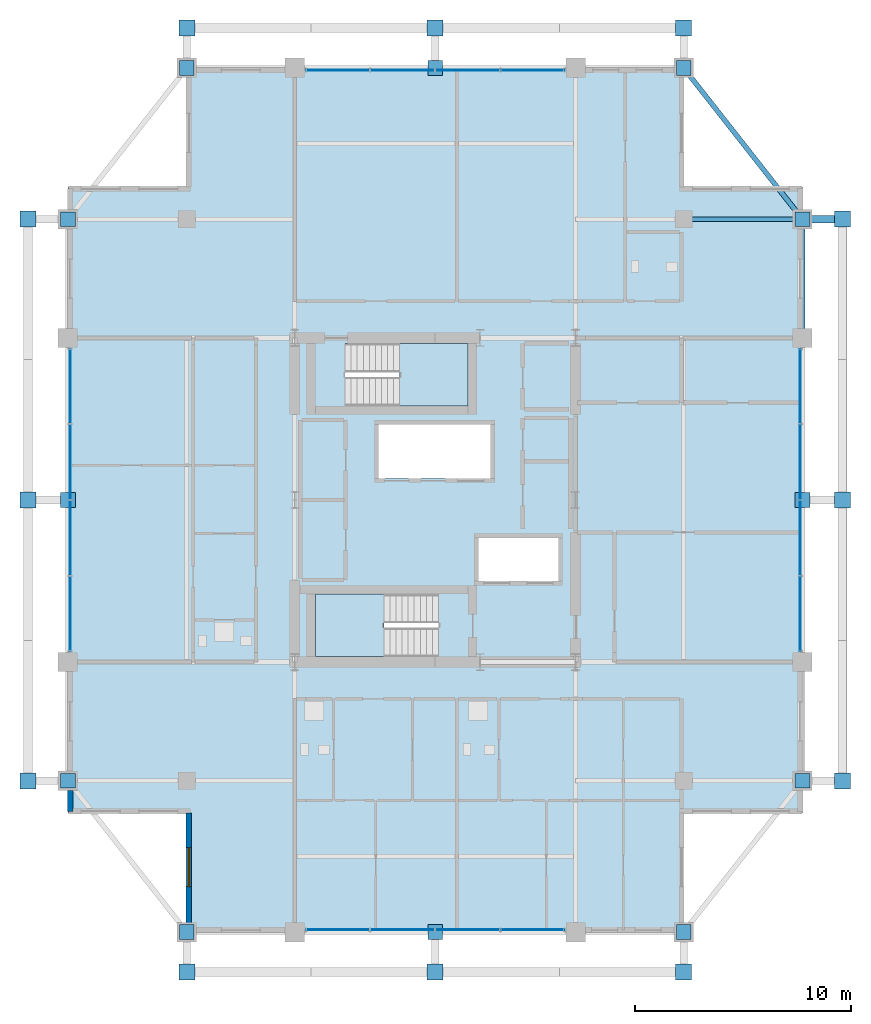
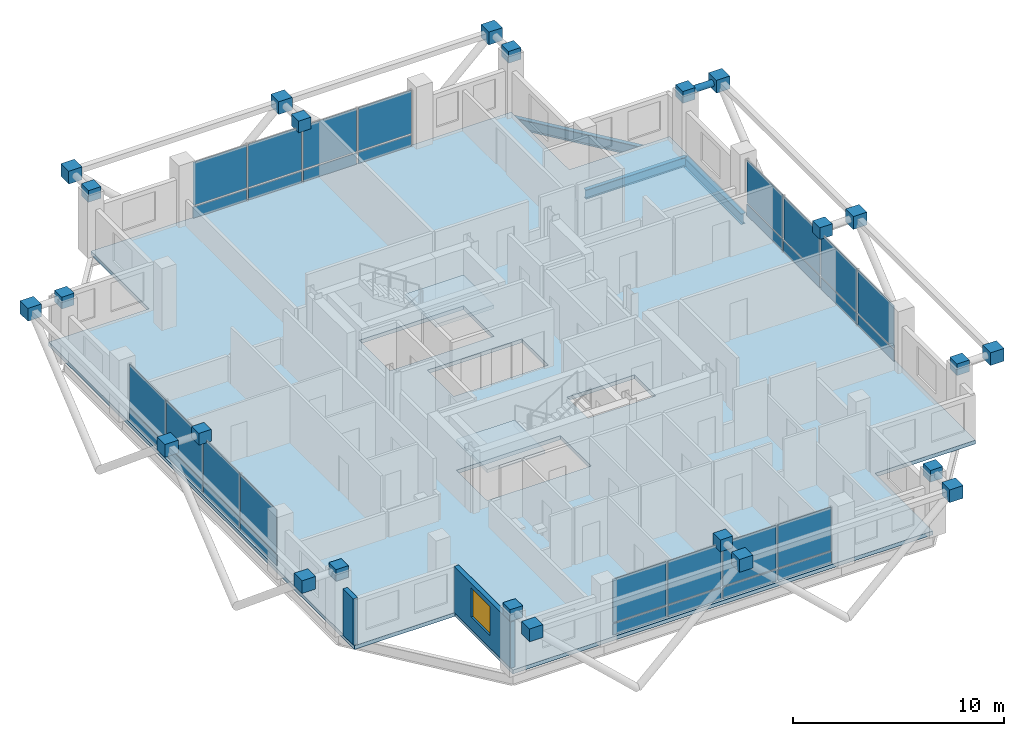
# One storey, part 18 of 25: 56 plates, 3 beams, 3 slabs, 2 walls, 1 member, 1 window, 1 opening, 6 elements without a shape of their own.
"""IFC4 building model written with IfcOpenShell, lengths in metres."""

from ifc_helpers import new_model, si_unit, direction, frame, frame_2d, origin, origin_2d, place, context, subcontext, project, spatial, polyline, rectangle, hollow_circle, i_section, outline, extrude, material, layer, layer_set, material_profile, profile_set, type_object, element, fill, aggregate, save


model = new_model("IFC4")

# Units and contexts
model_context = context("Model", 3, precision=1e-05, world=origin(), true_north=direction((0.0, 1.0)))
body_context = subcontext(model_context, "Body", "Model", "MODEL_VIEW")
ifc_project = project(units=[si_unit("LENGTHUNIT", "METRE"), si_unit("AREAUNIT", "SQUARE_METRE"), si_unit("VOLUMEUNIT", "CUBIC_METRE"), si_unit("PLANEANGLEUNIT", "RADIAN"), si_unit("MASSUNIT", "GRAM", prefix="KILO")], contexts=[model_context])

# Site, building, storey
site_placement = place(None, origin())
site = spatial("IfcSite", under=ifc_project, at=site_placement, CompositionType="ELEMENT")
building_placement = place(site_placement, origin())
building = spatial("IfcBuilding", under=site, at=building_placement, Name="Barlavira Tower and Art Museum", CompositionType="ELEMENT")
storey_placement = place(building_placement, frame((0.0, 0.0, 301.5)))
storey = spatial("IfcBuildingStorey", under=building, at=storey_placement, Name="L79", CompositionType="ELEMENT", Elevation=301.5)

# Member
ifc_material_1 = material(Name="Steel S355", Category="steel")
ifc_material_profile_1 = material_profile(ifc_material_1, hollow_circle(Radius=0.177734375, WallThickness=0.01611328125, at=origin_2d()), Name="CHS 355.6x16.0")
ifc_profile_set_1 = profile_set([ifc_material_profile_1], Name="Steel S355")
member_type = type_object("IfcMemberType", Name="Pale-Metal Exoskeleton Tie Strut CHS 356x16 Steel S355", PredefinedType="STRUT", material=ifc_profile_set_1)
member_placement = place(storey_placement, frame((18.85009765625, 13.0, 3.47998046875), z_axis=(-1.0, 0.0, 0.0), x_axis=(0.0, -1.0, 0.0)))
element("IfcMember", 1, at=member_placement, inside=storey, type_object=member_type, Name="L79 Exoskeleton Top Tie Strut E3", PredefinedType="STRUT", context=body_context, shape_type="SweptSolid", body=[
    extrude(hollow_circle(Radius=0.177734375, WallThickness=0.01611328125, at=origin_2d()), origin(), (0.0, 0.0, 1.0), 1.85009765625),
])

# Beams
ifc_material_profile_2 = material_profile(ifc_material_1, i_section(OverallWidth=0.22998046875, OverallDepth=0.616943359375, WebThickness=0.01318359375, FlangeThickness=0.022216796875, at=origin_2d()), Name="W610x140.0")
ifc_profile_set_2 = profile_set([ifc_material_profile_2], Name="Steel S355")
beam_type_1 = type_object("IfcBeamType", Name="Upper Shaft Spandrel Edge Beam W610x140 Steel S355", PredefinedType="SPANDREL", material=ifc_profile_set_2)
beam_1_placement = place(storey_placement, frame((17.0, 7.5, -0.528564453125), z_axis=(0.0, 1.0, 0.0), x_axis=(-1.0, 0.0, 0.0)))
element("IfcBeam", 2, at=beam_1_placement, inside=storey, type_object=beam_type_1, Name="L79 Spandrel 7", PredefinedType="SPANDREL", context=body_context, shape_type="SweptSolid", body=[
    extrude(i_section(OverallWidth=0.22998046875, OverallDepth=0.616943359375, WebThickness=0.01318359375, FlangeThickness=0.022216796875, at=origin_2d()), origin(), (0.0, 0.0, 1.0), 5.5),
])
beam_2_placement = place(storey_placement, frame((17.0, 13.0, -0.528564453125), z_axis=(-0.617821551932, 0.786318338822, 0.0), x_axis=(-0.786318338822, -0.617821551932, 0.0)))
element("IfcBeam", 3, at=beam_2_placement, inside=storey, type_object=beam_type_1, Name="L79 Spandrel 8", PredefinedType="SPANDREL", context=body_context, shape_type="SweptSolid", body=[
    extrude(i_section(OverallWidth=0.22998046875, OverallDepth=0.616943359375, WebThickness=0.01318359375, FlangeThickness=0.022216796875, at=origin_2d()), origin(), (0.0, 0.0, 1.0), 8.90234375),
])
ifc_material_profile_3 = material_profile(ifc_material_1, i_section(OverallWidth=0.2109375, OverallDepth=0.5390625, WebThickness=0.01171875, FlangeThickness=0.018798828125, at=origin_2d()), Name="W530x109.0")
ifc_profile_set_3 = profile_set([ifc_material_profile_3], Name="Steel S355")
beam_type_2 = type_object("IfcBeamType", Name="Zone 3-4 Primary Floor Girder W530x109 Steel S355", PredefinedType="BEAM", material=ifc_profile_set_3)
beam_3_placement = place(storey_placement, frame((11.5, 13.0, -0.489501953125), z_axis=(1.0, 0.0, 0.0), x_axis=(0.0, 1.0, 0.0)))
element("IfcBeam", 4, at=beam_3_placement, inside=storey, type_object=beam_type_2, Name="L79 Girder I-N4", PredefinedType="BEAM", context=body_context, shape_type="SweptSolid", body=[
    extrude(i_section(OverallWidth=0.2109375, OverallDepth=0.5390625, WebThickness=0.01171875, FlangeThickness=0.018798828125, at=origin_2d()), origin(), (0.0, 0.0, 1.0), 5.5),
])

# Curtain wall, plates
ifc_material_2 = material(Name="Low-iron coastal laminated glass", Category="glass")
ifc_layer_1 = layer(ifc_material_2, 0.2099609375, Name="Low-iron coastal laminated glass")
ifc_layer_set_1 = layer_set([ifc_layer_1], Name="Low-iron coastal laminated glass")
curtain_wall_type = type_object("IfcCurtainWallType", Name="Pale-Metal Unitised Curtain Wall Zone 4", PredefinedType="NOTDEFINED", material=ifc_layer_set_1)
curtain_wall_1_placement = place(storey_placement, origin())
curtain_wall_1 = element("IfcCurtainWall", 5, at=curtain_wall_1_placement, inside=storey, type_object=curtain_wall_type, Name="L79 Curtain Wall CW4-L79-S-B2", PredefinedType="NOTDEFINED")
ifc_material_3 = material(Name="Pale anodised aluminium", Category="aluminium")
ifc_layer_2 = layer(ifc_material_3, 0.044921875, Name="Pale anodised aluminium")
ifc_layer_set_2 = layer_set([ifc_layer_2], Name="Pale anodised aluminium")
plate_type_1 = type_object("IfcPlateType", Name="Curtain Wall Pale-Metal Spandrel Panel 45", PredefinedType="CURTAIN_PANEL", material=ifc_layer_set_2)
plate_1_placement = place(storey_placement, frame((-4.5224609375, -19.89990234375, 0.0400390625), z_axis=(0.0, 0.0, 1.0), x_axis=(1.0, 0.0, 0.0)))
plate_1 = element("IfcPlate", 6, at=plate_1_placement, type_object=plate_type_1, Name="CW4-L79-S-B2 Spandrel Panel 0", PredefinedType="CURTAIN_PANEL", context=body_context, shape_type="SweptSolid", body=[
    extrude(rectangle(XDim=2.9150390625, YDim=0.044921875, at=origin_2d()), origin(), (0.0, 0.0, 1.0), 0.64599609375),
])
plate_2_placement = place(storey_placement, frame((-1.507568359375, -19.89990234375, 0.0400390625), z_axis=(0.0, 0.0, 1.0), x_axis=(1.0, 0.0, 0.0)))
plate_2 = element("IfcPlate", 7, at=plate_2_placement, type_object=plate_type_1, Name="CW4-L79-S-B2 Spandrel Panel 1", PredefinedType="CURTAIN_PANEL", context=body_context, shape_type="SweptSolid", body=[
    extrude(rectangle(XDim=2.9150390625, YDim=0.044921875, at=origin_2d()), origin(), (0.0, 0.0, 1.0), 0.64599609375),
])
plate_3_placement = place(storey_placement, frame((1.507568359375, -19.89990234375, 0.0400390625), z_axis=(0.0, 0.0, 1.0), x_axis=(1.0, 0.0, 0.0)))
plate_3 = element("IfcPlate", 8, at=plate_3_placement, type_object=plate_type_1, Name="CW4-L79-S-B2 Spandrel Panel 2", PredefinedType="CURTAIN_PANEL", context=body_context, shape_type="SweptSolid", body=[
    extrude(rectangle(XDim=2.9150390625, YDim=0.044921875, at=origin_2d()), origin(), (0.0, 0.0, 1.0), 0.64599609375),
])
plate_4_placement = place(storey_placement, frame((4.5224609375, -19.89990234375, 0.0400390625), z_axis=(0.0, 0.0, 1.0), x_axis=(1.0, 0.0, 0.0)))
plate_4 = element("IfcPlate", 9, at=plate_4_placement, type_object=plate_type_1, Name="CW4-L79-S-B2 Spandrel Panel 3", PredefinedType="CURTAIN_PANEL", context=body_context, shape_type="SweptSolid", body=[
    extrude(rectangle(XDim=2.9150390625, YDim=0.044921875, at=origin_2d()), origin(), (0.0, 0.0, 1.0), 0.64599609375),
])

curtain_wall_2_placement = place(storey_placement, origin())
curtain_wall_2 = element("IfcCurtainWall", 10, at=curtain_wall_2_placement, inside=storey, type_object=curtain_wall_type, Name="L79 Curtain Wall CW4-L79-N-B2", PredefinedType="NOTDEFINED")
plate_5_placement = place(storey_placement, frame((4.5224609375, 19.89990234375, 0.0400390625), z_axis=(0.0, 0.0, 1.0), x_axis=(-1.0, 0.0, 0.0)))
plate_5 = element("IfcPlate", 11, at=plate_5_placement, type_object=plate_type_1, Name="CW4-L79-N-B2 Spandrel Panel 0", PredefinedType="CURTAIN_PANEL", context=body_context, shape_type="SweptSolid", body=[
    extrude(rectangle(XDim=2.9150390625, YDim=0.044921875, at=origin_2d()), origin(), (0.0, 0.0, 1.0), 0.64599609375),
])
plate_6_placement = place(storey_placement, frame((1.507568359375, 19.89990234375, 0.0400390625), z_axis=(0.0, 0.0, 1.0), x_axis=(-1.0, 0.0, 0.0)))
plate_6 = element("IfcPlate", 12, at=plate_6_placement, type_object=plate_type_1, Name="CW4-L79-N-B2 Spandrel Panel 1", PredefinedType="CURTAIN_PANEL", context=body_context, shape_type="SweptSolid", body=[
    extrude(rectangle(XDim=2.9150390625, YDim=0.044921875, at=origin_2d()), origin(), (0.0, 0.0, 1.0), 0.64599609375),
])
plate_7_placement = place(storey_placement, frame((-1.507568359375, 19.89990234375, 0.0400390625), z_axis=(0.0, 0.0, 1.0), x_axis=(-1.0, 0.0, 0.0)))
plate_7 = element("IfcPlate", 13, at=plate_7_placement, type_object=plate_type_1, Name="CW4-L79-N-B2 Spandrel Panel 2", PredefinedType="CURTAIN_PANEL", context=body_context, shape_type="SweptSolid", body=[
    extrude(rectangle(XDim=2.9150390625, YDim=0.044921875, at=origin_2d()), origin(), (0.0, 0.0, 1.0), 0.64599609375),
])
plate_8_placement = place(storey_placement, frame((-4.5224609375, 19.89990234375, 0.0400390625), z_axis=(0.0, 0.0, 1.0), x_axis=(-1.0, 0.0, 0.0)))
plate_8 = element("IfcPlate", 14, at=plate_8_placement, type_object=plate_type_1, Name="CW4-L79-N-B2 Spandrel Panel 3", PredefinedType="CURTAIN_PANEL", context=body_context, shape_type="SweptSolid", body=[
    extrude(rectangle(XDim=2.9150390625, YDim=0.044921875, at=origin_2d()), origin(), (0.0, 0.0, 1.0), 0.64599609375),
])

curtain_wall_3_placement = place(storey_placement, origin())
curtain_wall_3 = element("IfcCurtainWall", 15, at=curtain_wall_3_placement, inside=storey, type_object=curtain_wall_type, Name="L79 Curtain Wall CW4-L79-W-B3", PredefinedType="NOTDEFINED")
plate_9_placement = place(storey_placement, frame((-16.89990234375, 5.2724609375, 0.0400390625), z_axis=(0.0, 0.0, 1.0), x_axis=(0.0, -1.0, 0.0)))
plate_9 = element("IfcPlate", 16, at=plate_9_placement, type_object=plate_type_1, Name="CW4-L79-W-B3 Spandrel Panel 0", PredefinedType="CURTAIN_PANEL", context=body_context, shape_type="SweptSolid", body=[
    extrude(rectangle(XDim=3.4150390625, YDim=0.044921875, at=origin_2d()), origin(), (0.0, 0.0, 1.0), 0.64599609375),
])
plate_10_placement = place(storey_placement, frame((-16.89990234375, 1.757568359375, 0.0400390625), z_axis=(0.0, 0.0, 1.0), x_axis=(0.0, -1.0, 0.0)))
plate_10 = element("IfcPlate", 17, at=plate_10_placement, type_object=plate_type_1, Name="CW4-L79-W-B3 Spandrel Panel 1", PredefinedType="CURTAIN_PANEL", context=body_context, shape_type="SweptSolid", body=[
    extrude(rectangle(XDim=3.4150390625, YDim=0.044921875, at=origin_2d()), origin(), (0.0, 0.0, 1.0), 0.64599609375),
])
plate_11_placement = place(storey_placement, frame((-16.89990234375, -1.757568359375, 0.0400390625), z_axis=(0.0, 0.0, 1.0), x_axis=(0.0, -1.0, 0.0)))
plate_11 = element("IfcPlate", 18, at=plate_11_placement, type_object=plate_type_1, Name="CW4-L79-W-B3 Spandrel Panel 2", PredefinedType="CURTAIN_PANEL", context=body_context, shape_type="SweptSolid", body=[
    extrude(rectangle(XDim=3.4150390625, YDim=0.044921875, at=origin_2d()), origin(), (0.0, 0.0, 1.0), 0.64599609375),
])
plate_12_placement = place(storey_placement, frame((-16.89990234375, -5.2724609375, 0.0400390625), z_axis=(0.0, 0.0, 1.0), x_axis=(0.0, -1.0, 0.0)))
plate_12 = element("IfcPlate", 19, at=plate_12_placement, type_object=plate_type_1, Name="CW4-L79-W-B3 Spandrel Panel 3", PredefinedType="CURTAIN_PANEL", context=body_context, shape_type="SweptSolid", body=[
    extrude(rectangle(XDim=3.4150390625, YDim=0.044921875, at=origin_2d()), origin(), (0.0, 0.0, 1.0), 0.64599609375),
])

curtain_wall_4_placement = place(storey_placement, origin())
curtain_wall_4 = element("IfcCurtainWall", 20, at=curtain_wall_4_placement, inside=storey, type_object=curtain_wall_type, Name="L79 Curtain Wall CW4-L79-E-B3", PredefinedType="NOTDEFINED")
plate_13_placement = place(storey_placement, frame((16.89990234375, -5.2724609375, 0.0400390625), z_axis=(0.0, 0.0, 1.0), x_axis=(0.0, 1.0, 0.0)))
plate_13 = element("IfcPlate", 21, at=plate_13_placement, type_object=plate_type_1, Name="CW4-L79-E-B3 Spandrel Panel 0", PredefinedType="CURTAIN_PANEL", context=body_context, shape_type="SweptSolid", body=[
    extrude(rectangle(XDim=3.4150390625, YDim=0.044921875, at=origin_2d()), origin(), (0.0, 0.0, 1.0), 0.64599609375),
])
plate_14_placement = place(storey_placement, frame((16.89990234375, -1.757568359375, 0.0400390625), z_axis=(0.0, 0.0, 1.0), x_axis=(0.0, 1.0, 0.0)))
plate_14 = element("IfcPlate", 22, at=plate_14_placement, type_object=plate_type_1, Name="CW4-L79-E-B3 Spandrel Panel 1", PredefinedType="CURTAIN_PANEL", context=body_context, shape_type="SweptSolid", body=[
    extrude(rectangle(XDim=3.4150390625, YDim=0.044921875, at=origin_2d()), origin(), (0.0, 0.0, 1.0), 0.64599609375),
])
plate_15_placement = place(storey_placement, frame((16.89990234375, 1.757568359375, 0.0400390625), z_axis=(0.0, 0.0, 1.0), x_axis=(0.0, 1.0, 0.0)))
plate_15 = element("IfcPlate", 23, at=plate_15_placement, type_object=plate_type_1, Name="CW4-L79-E-B3 Spandrel Panel 2", PredefinedType="CURTAIN_PANEL", context=body_context, shape_type="SweptSolid", body=[
    extrude(rectangle(XDim=3.4150390625, YDim=0.044921875, at=origin_2d()), origin(), (0.0, 0.0, 1.0), 0.64599609375),
])
plate_16_placement = place(storey_placement, frame((16.89990234375, 5.2724609375, 0.0400390625), z_axis=(0.0, 0.0, 1.0), x_axis=(0.0, 1.0, 0.0)))
plate_16 = element("IfcPlate", 24, at=plate_16_placement, type_object=plate_type_1, Name="CW4-L79-E-B3 Spandrel Panel 3", PredefinedType="CURTAIN_PANEL", context=body_context, shape_type="SweptSolid", body=[
    extrude(rectangle(XDim=3.4150390625, YDim=0.044921875, at=origin_2d()), origin(), (0.0, 0.0, 1.0), 0.64599609375),
])

# Plate
ifc_layer_3 = layer(ifc_material_2, 0.028076171875, Name="Low-iron coastal laminated glass")
ifc_layer_set_3 = layer_set([ifc_layer_3], Name="Low-iron coastal laminated glass")
plate_type_2 = type_object("IfcPlateType", Name="Curtain Wall Vision Glazing Panel 28", PredefinedType="CURTAIN_PANEL", material=ifc_layer_set_3)
plate_17_placement = place(storey_placement, frame((-4.5224609375, -19.89990234375, 0.76611328125), z_axis=(0.0, 0.0, 1.0), x_axis=(1.0, 0.0, 0.0)))
plate_17 = element("IfcPlate", 25, at=plate_17_placement, type_object=plate_type_2, Name="CW4-L79-S-B2 Vision Glass Panel 0", PredefinedType="CURTAIN_PANEL", context=body_context, shape_type="SweptSolid", body=[
    extrude(rectangle(XDim=2.9150390625, YDim=0.028076171875, at=origin_2d()), origin(), (0.0, 0.0, 1.0), 2.493896484375),
])

plate_18_placement = place(storey_placement, frame((-1.507568359375, -19.89990234375, 0.76611328125), z_axis=(0.0, 0.0, 1.0), x_axis=(1.0, 0.0, 0.0)))
plate_18 = element("IfcPlate", 26, at=plate_18_placement, type_object=plate_type_2, Name="CW4-L79-S-B2 Vision Glass Panel 1", PredefinedType="CURTAIN_PANEL", context=body_context, shape_type="SweptSolid", body=[
    extrude(rectangle(XDim=2.9150390625, YDim=0.028076171875, at=origin_2d()), origin(), (0.0, 0.0, 1.0), 2.493896484375),
])

plate_19_placement = place(storey_placement, frame((1.507568359375, -19.89990234375, 0.76611328125), z_axis=(0.0, 0.0, 1.0), x_axis=(1.0, 0.0, 0.0)))
plate_19 = element("IfcPlate", 27, at=plate_19_placement, type_object=plate_type_2, Name="CW4-L79-S-B2 Vision Glass Panel 2", PredefinedType="CURTAIN_PANEL", context=body_context, shape_type="SweptSolid", body=[
    extrude(rectangle(XDim=2.9150390625, YDim=0.028076171875, at=origin_2d()), origin(), (0.0, 0.0, 1.0), 2.493896484375),
])

plate_20_placement = place(storey_placement, frame((4.5224609375, -19.89990234375, 0.76611328125), z_axis=(0.0, 0.0, 1.0), x_axis=(1.0, 0.0, 0.0)))
plate_20 = element("IfcPlate", 28, at=plate_20_placement, type_object=plate_type_2, Name="CW4-L79-S-B2 Vision Glass Panel 3", PredefinedType="CURTAIN_PANEL", context=body_context, shape_type="SweptSolid", body=[
    extrude(rectangle(XDim=2.9150390625, YDim=0.028076171875, at=origin_2d()), origin(), (0.0, 0.0, 1.0), 2.493896484375),
])

aggregate(curtain_wall_1, [plate_1, plate_17, plate_2, plate_18, plate_3, plate_19, plate_4, plate_20])

plate_21_placement = place(storey_placement, frame((4.5224609375, 19.89990234375, 0.76611328125), z_axis=(0.0, 0.0, 1.0), x_axis=(-1.0, 0.0, 0.0)))
plate_21 = element("IfcPlate", 29, at=plate_21_placement, type_object=plate_type_2, Name="CW4-L79-N-B2 Vision Glass Panel 0", PredefinedType="CURTAIN_PANEL", context=body_context, shape_type="SweptSolid", body=[
    extrude(rectangle(XDim=2.9150390625, YDim=0.028076171875, at=origin_2d()), origin(), (0.0, 0.0, 1.0), 2.493896484375),
])

plate_22_placement = place(storey_placement, frame((1.507568359375, 19.89990234375, 0.76611328125), z_axis=(0.0, 0.0, 1.0), x_axis=(-1.0, 0.0, 0.0)))
plate_22 = element("IfcPlate", 30, at=plate_22_placement, type_object=plate_type_2, Name="CW4-L79-N-B2 Vision Glass Panel 1", PredefinedType="CURTAIN_PANEL", context=body_context, shape_type="SweptSolid", body=[
    extrude(rectangle(XDim=2.9150390625, YDim=0.028076171875, at=origin_2d()), origin(), (0.0, 0.0, 1.0), 2.493896484375),
])

plate_23_placement = place(storey_placement, frame((-1.507568359375, 19.89990234375, 0.76611328125), z_axis=(0.0, 0.0, 1.0), x_axis=(-1.0, 0.0, 0.0)))
plate_23 = element("IfcPlate", 31, at=plate_23_placement, type_object=plate_type_2, Name="CW4-L79-N-B2 Vision Glass Panel 2", PredefinedType="CURTAIN_PANEL", context=body_context, shape_type="SweptSolid", body=[
    extrude(rectangle(XDim=2.9150390625, YDim=0.028076171875, at=origin_2d()), origin(), (0.0, 0.0, 1.0), 2.493896484375),
])

plate_24_placement = place(storey_placement, frame((-4.5224609375, 19.89990234375, 0.76611328125), z_axis=(0.0, 0.0, 1.0), x_axis=(-1.0, 0.0, 0.0)))
plate_24 = element("IfcPlate", 32, at=plate_24_placement, type_object=plate_type_2, Name="CW4-L79-N-B2 Vision Glass Panel 3", PredefinedType="CURTAIN_PANEL", context=body_context, shape_type="SweptSolid", body=[
    extrude(rectangle(XDim=2.9150390625, YDim=0.028076171875, at=origin_2d()), origin(), (0.0, 0.0, 1.0), 2.493896484375),
])

aggregate(curtain_wall_2, [plate_5, plate_21, plate_6, plate_22, plate_7, plate_23, plate_8, plate_24])

plate_25_placement = place(storey_placement, frame((-16.89990234375, 5.2724609375, 0.76611328125), z_axis=(0.0, 0.0, 1.0), x_axis=(0.0, -1.0, 0.0)))
plate_25 = element("IfcPlate", 33, at=plate_25_placement, type_object=plate_type_2, Name="CW4-L79-W-B3 Vision Glass Panel 0", PredefinedType="CURTAIN_PANEL", context=body_context, shape_type="SweptSolid", body=[
    extrude(rectangle(XDim=3.4150390625, YDim=0.028076171875, at=origin_2d()), origin(), (0.0, 0.0, 1.0), 2.493896484375),
])

plate_26_placement = place(storey_placement, frame((-16.89990234375, 1.757568359375, 0.76611328125), z_axis=(0.0, 0.0, 1.0), x_axis=(0.0, -1.0, 0.0)))
plate_26 = element("IfcPlate", 34, at=plate_26_placement, type_object=plate_type_2, Name="CW4-L79-W-B3 Vision Glass Panel 1", PredefinedType="CURTAIN_PANEL", context=body_context, shape_type="SweptSolid", body=[
    extrude(rectangle(XDim=3.4150390625, YDim=0.028076171875, at=origin_2d()), origin(), (0.0, 0.0, 1.0), 2.493896484375),
])

plate_27_placement = place(storey_placement, frame((-16.89990234375, -1.757568359375, 0.76611328125), z_axis=(0.0, 0.0, 1.0), x_axis=(0.0, -1.0, 0.0)))
plate_27 = element("IfcPlate", 35, at=plate_27_placement, type_object=plate_type_2, Name="CW4-L79-W-B3 Vision Glass Panel 2", PredefinedType="CURTAIN_PANEL", context=body_context, shape_type="SweptSolid", body=[
    extrude(rectangle(XDim=3.4150390625, YDim=0.028076171875, at=origin_2d()), origin(), (0.0, 0.0, 1.0), 2.493896484375),
])

plate_28_placement = place(storey_placement, frame((-16.89990234375, -5.2724609375, 0.76611328125), z_axis=(0.0, 0.0, 1.0), x_axis=(0.0, -1.0, 0.0)))
plate_28 = element("IfcPlate", 36, at=plate_28_placement, type_object=plate_type_2, Name="CW4-L79-W-B3 Vision Glass Panel 3", PredefinedType="CURTAIN_PANEL", context=body_context, shape_type="SweptSolid", body=[
    extrude(rectangle(XDim=3.4150390625, YDim=0.028076171875, at=origin_2d()), origin(), (0.0, 0.0, 1.0), 2.493896484375),
])

aggregate(curtain_wall_3, [plate_9, plate_25, plate_10, plate_26, plate_11, plate_27, plate_12, plate_28])

plate_29_placement = place(storey_placement, frame((16.89990234375, -5.2724609375, 0.76611328125), z_axis=(0.0, 0.0, 1.0), x_axis=(0.0, 1.0, 0.0)))
plate_29 = element("IfcPlate", 37, at=plate_29_placement, type_object=plate_type_2, Name="CW4-L79-E-B3 Vision Glass Panel 0", PredefinedType="CURTAIN_PANEL", context=body_context, shape_type="SweptSolid", body=[
    extrude(rectangle(XDim=3.4150390625, YDim=0.028076171875, at=origin_2d()), origin(), (0.0, 0.0, 1.0), 2.493896484375),
])

plate_30_placement = place(storey_placement, frame((16.89990234375, -1.757568359375, 0.76611328125), z_axis=(0.0, 0.0, 1.0), x_axis=(0.0, 1.0, 0.0)))
plate_30 = element("IfcPlate", 38, at=plate_30_placement, type_object=plate_type_2, Name="CW4-L79-E-B3 Vision Glass Panel 1", PredefinedType="CURTAIN_PANEL", context=body_context, shape_type="SweptSolid", body=[
    extrude(rectangle(XDim=3.4150390625, YDim=0.028076171875, at=origin_2d()), origin(), (0.0, 0.0, 1.0), 2.493896484375),
])

plate_31_placement = place(storey_placement, frame((16.89990234375, 1.757568359375, 0.76611328125), z_axis=(0.0, 0.0, 1.0), x_axis=(0.0, 1.0, 0.0)))
plate_31 = element("IfcPlate", 39, at=plate_31_placement, type_object=plate_type_2, Name="CW4-L79-E-B3 Vision Glass Panel 2", PredefinedType="CURTAIN_PANEL", context=body_context, shape_type="SweptSolid", body=[
    extrude(rectangle(XDim=3.4150390625, YDim=0.028076171875, at=origin_2d()), origin(), (0.0, 0.0, 1.0), 2.493896484375),
])

plate_32_placement = place(storey_placement, frame((16.89990234375, 5.2724609375, 0.76611328125), z_axis=(0.0, 0.0, 1.0), x_axis=(0.0, 1.0, 0.0)))
plate_32 = element("IfcPlate", 40, at=plate_32_placement, type_object=plate_type_2, Name="CW4-L79-E-B3 Vision Glass Panel 3", PredefinedType="CURTAIN_PANEL", context=body_context, shape_type="SweptSolid", body=[
    extrude(rectangle(XDim=3.4150390625, YDim=0.028076171875, at=origin_2d()), origin(), (0.0, 0.0, 1.0), 2.493896484375),
])

aggregate(curtain_wall_4, [plate_13, plate_29, plate_14, plate_30, plate_15, plate_31, plate_16, plate_32])

# Plates
ifc_layer_4 = layer(ifc_material_1, 0.739990234375, Name="Steel S355")
ifc_layer_set_4 = layer_set([ifc_layer_4], Name="Steel S355")
plate_type_3 = type_object("IfcPlateType", Name="Exoskeleton Solid Steel Node Cap Plate Assembly Type 4 Steel S355", PredefinedType="USERDEFINED", material=ifc_layer_set_4)
for number, where, z_axis, x_axis, name in (
    (41, (-11.5, -21.85009765625, 3.10986328125), (0.0, 0.0, 1.0), (1.0, 0.0, 0.0), "Exoskeleton Node S ND-L79-0861"),
    (42, (0.0, -21.85009765625, 3.10986328125), (0.0, 0.0, 1.0), (1.0, 0.0, 0.0), "Exoskeleton Node S ND-L79-0862"),
    (43, (11.5, -21.85009765625, 3.10986328125), (0.0, 0.0, 1.0), (1.0, 0.0, 0.0), "Exoskeleton Node S ND-L79-0863"),
    (44, (-11.5, 21.85009765625, 3.10986328125), (0.0, 0.0, 1.0), (1.0, 0.0, 0.0), "Exoskeleton Node N ND-L79-0872"),
    (45, (0.0, 21.85009765625, 3.10986328125), (0.0, 0.0, 1.0), (1.0, 0.0, 0.0), "Exoskeleton Node N ND-L79-0873"),
    (46, (11.5, 21.85009765625, 3.10986328125), (0.0, 0.0, 1.0), (1.0, 0.0, 0.0), "Exoskeleton Node N ND-L79-0874"),
    (47, (-18.85009765625, -13.0, 3.10986328125), (0.0, 0.0, 1.0), (1.0, 0.0, 0.0), "Exoskeleton Node W ND-L79-0883"),
    (48, (-18.85009765625, 0.0, 3.10986328125), (0.0, 0.0, 1.0), (1.0, 0.0, 0.0), "Exoskeleton Node W ND-L79-0884"),
    (49, (-18.85009765625, 13.0, 3.10986328125), (0.0, 0.0, 1.0), (1.0, 0.0, 0.0), "Exoskeleton Node W ND-L79-0885"),
    (50, (18.85009765625, -13.0, 3.10986328125), (0.0, 0.0, 1.0), (1.0, 0.0, 0.0), "Exoskeleton Node E ND-L79-0894"),
    (51, (18.85009765625, 0.0, 3.10986328125), (0.0, 0.0, 1.0), (1.0, 0.0, 0.0), "Exoskeleton Node E ND-L79-0895"),
    (52, (18.85009765625, 13.0, 3.10986328125), (0.0, 0.0, 1.0), (1.0, 0.0, 0.0), "Exoskeleton Node E ND-L79-0896"),
):
    element("IfcPlate", number, at=place(storey_placement, frame(where, z_axis=z_axis, x_axis=x_axis)), inside=storey, type_object=plate_type_3, Name=name, ObjectType="FLANGE_PLATE", PredefinedType="USERDEFINED", context=body_context, shape_type="SweptSolid", body=[
        extrude(rectangle(XDim=0.739990234375, YDim=0.739990234375, at=origin_2d()), origin(), (0.0, 0.0, 1.0), 0.739990234375),
    ])
ifc_layer_5 = layer(ifc_material_1, 0.679931640625, Name="Steel S355")
ifc_layer_set_5 = layer_set([ifc_layer_5], Name="Steel S355")
plate_type_4 = type_object("IfcPlateType", Name="Exoskeleton Tie-Back Solid Cap Plate Assembly Type 5 Steel S355", PredefinedType="USERDEFINED", material=ifc_layer_set_5)
for number, where, z_axis, x_axis, name in (
    (53, (-11.5, -20.0, 3.14013671875), (0.0, 0.0, 1.0), (1.0, 0.0, 0.0), "Top Slab Tie Cap Plate S1 ND-L79-0869"),
    (54, (0.0, -20.0, 3.14013671875), (0.0, 0.0, 1.0), (1.0, 0.0, 0.0), "Top Slab Tie Cap Plate S2 ND-L79-0870"),
    (55, (11.5, -20.0, 3.14013671875), (0.0, 0.0, 1.0), (1.0, 0.0, 0.0), "Top Slab Tie Cap Plate S3 ND-L79-0871"),
    (56, (-11.5, 20.0, 3.14013671875), (0.0, 0.0, 1.0), (1.0, 0.0, 0.0), "Top Slab Tie Cap Plate N1 ND-L79-0880"),
    (57, (0.0, 20.0, 3.14013671875), (0.0, 0.0, 1.0), (1.0, 0.0, 0.0), "Top Slab Tie Cap Plate N2 ND-L79-0881"),
    (58, (11.5, 20.0, 3.14013671875), (0.0, 0.0, 1.0), (1.0, 0.0, 0.0), "Top Slab Tie Cap Plate N3 ND-L79-0882"),
    (59, (-17.0, -13.0, 3.14013671875), (0.0, 0.0, 1.0), (1.0, 0.0, 0.0), "Top Slab Tie Cap Plate W1 ND-L79-0891"),
    (60, (-17.0, 0.0, 3.14013671875), (0.0, 0.0, 1.0), (1.0, 0.0, 0.0), "Top Slab Tie Cap Plate W2 ND-L79-0892"),
    (61, (-17.0, 13.0, 3.14013671875), (0.0, 0.0, 1.0), (1.0, 0.0, 0.0), "Top Slab Tie Cap Plate W3 ND-L79-0893"),
    (62, (17.0, -13.0, 3.14013671875), (0.0, 0.0, 1.0), (1.0, 0.0, 0.0), "Top Slab Tie Cap Plate E1 ND-L79-0902"),
    (63, (17.0, 0.0, 3.14013671875), (0.0, 0.0, 1.0), (1.0, 0.0, 0.0), "Top Slab Tie Cap Plate E2 ND-L79-0903"),
    (64, (17.0, 13.0, 3.14013671875), (0.0, 0.0, 1.0), (1.0, 0.0, 0.0), "Top Slab Tie Cap Plate E3 ND-L79-0904"),
):
    element("IfcPlate", number, at=place(storey_placement, frame(where, z_axis=z_axis, x_axis=x_axis)), inside=storey, type_object=plate_type_4, Name=name, ObjectType="FLANGE_PLATE", PredefinedType="USERDEFINED", context=body_context, shape_type="SweptSolid", body=[
        extrude(rectangle(XDim=0.679931640625, YDim=0.679931640625, at=origin_2d()), origin(), (0.0, 0.0, 1.0), 0.679931640625),
    ])

# Stair, slab
ifc_material_4 = material(Name="Concrete C45", Category="concrete")
stair_type_1 = type_object("IfcStairType", Name="Tower North Dog-Leg Exit Stair Assembly Concrete C45", PredefinedType="TWO_QUARTER_TURN_STAIR", material=ifc_material_4)
stair_1_placement = place(storey_placement, origin())
stair_1 = element("IfcStair", 65, at=stair_1_placement, inside=storey, type_object=stair_type_1, Name="L79 Tower North Exit Stair ST-T2", PredefinedType="TWO_QUARTER_TURN_STAIR")
ifc_layer_6 = layer(ifc_material_4, 0.199951171875, Name="Concrete C45")
ifc_layer_set_6 = layer_set([ifc_layer_6], Name="Concrete C45")
slab_type_1 = type_object("IfcSlabType", Name="Tower North Dog-Leg Exit Stair Half-Landing Slab 200 Concrete C45", PredefinedType="LANDING", material=ifc_layer_set_6)
slab_1_placement = place(storey_placement, frame((0.0, 0.0, 1.60009765625)))
slab_1 = element("IfcSlab", 66, at=slab_1_placement, type_object=slab_type_1, Name="ST-T2 landing 1", PredefinedType="LANDING", context=body_context, shape_type="SweptSolid", body=[
    extrude(outline(polyline([(-1.64990234375, 4.35009765625), (1.530029296875, 4.35009765625), (1.530029296875, 7.25), (-1.64990234375, 7.25), (-1.64990234375, 4.35009765625)])), origin(), (0.0, 0.0, 1.0), 0.199951171875),
])
aggregate(stair_1, [slab_1])

stair_type_2 = type_object("IfcStairType", Name="Tower South Dog-Leg Exit Stair Assembly Concrete C45", PredefinedType="TWO_QUARTER_TURN_STAIR", material=ifc_material_4)
stair_2_placement = place(storey_placement, origin())
stair_2 = element("IfcStair", 67, at=stair_2_placement, inside=storey, type_object=stair_type_2, Name="L79 Tower South Exit Stair ST-T1", PredefinedType="TWO_QUARTER_TURN_STAIR")
ifc_layer_7 = layer(ifc_material_4, 0.199951171875, Name="Concrete C45")
ifc_layer_set_7 = layer_set([ifc_layer_7], Name="Concrete C45")
slab_type_2 = type_object("IfcSlabType", Name="Tower South Dog-Leg Exit Stair Half-Landing Slab 200 Concrete C45", PredefinedType="LANDING", material=ifc_layer_set_7)
slab_2_placement = place(storey_placement, frame((0.0, 0.0, 1.60009765625)))
slab_2 = element("IfcSlab", 68, at=slab_2_placement, type_object=slab_type_2, Name="ST-T1 landing 1", PredefinedType="LANDING", context=body_context, shape_type="SweptSolid", body=[
    extrude(outline(polyline([(-2.3701171875, -4.35009765625), (-5.550048828125, -4.35009765625), (-5.550048828125, -7.25), (-2.3701171875, -7.25), (-2.3701171875, -4.35009765625)])), origin(), (0.0, 0.0, 1.0), 0.199951171875),
])
aggregate(stair_2, [slab_2])

# Slab
ifc_material_5 = material(Name="Concrete C50", Category="concrete")
ifc_layer_8 = layer(ifc_material_5, 0.18994140625, Name="Concrete C50")
ifc_layer_set_8 = layer_set([ifc_layer_8], Name="Concrete C50")
slab_type_3 = type_object("IfcSlabType", Name="Zone 4 Residential Composite Slab 190 Concrete C50", PredefinedType="FLOOR", material=ifc_layer_set_8)
slab_3_placement = place(storey_placement, frame((0.0, 0.0, -0.219970703125)))
element("IfcSlab", 69, at=slab_3_placement, inside=storey, type_object=slab_type_3, Name="L79 Tower Floor Slab", PredefinedType="FLOOR", context=body_context, shape_type="SweptSolid", body=[
    extrude(outline(polyline([(-11.5, -20.0), (11.5, -20.0), (11.5, -14.5), (17.0, -14.5), (17.0, 14.5), (11.5, 14.5), (11.5, 20.0), (-11.5, 20.0), (-11.5, 14.5), (-17.0, 14.5), (-17.0, -14.5), (-11.5, -14.5), (-11.5, -20.0)]), holes=[polyline([(0.14990234375, -4.35009765625), (-5.550048828125, -4.35009765625), (-5.550048828125, -7.25), (0.14990234375, -7.25), (0.14990234375, -4.35009765625)]), polyline([(-4.169921875, 4.35009765625), (1.530029296875, 4.35009765625), (1.530029296875, 7.25), (-4.169921875, 7.25), (-4.169921875, 4.35009765625)]), polyline([(-2.6201171875, 1.0), (2.56005859375, 1.0), (2.56005859375, 3.5), (-2.6201171875, 3.5), (-2.6201171875, 1.0)]), polyline([(2.0, -3.75), (5.699951171875, -3.75), (5.699951171875, -1.75), (2.0, -1.75), (2.0, -3.75)])]), origin(), (0.0, 0.0, 1.0), 0.219970703125),
])

# Wall
ifc_material_6 = material(Name="Precast concrete C40", Category="concrete")
ifc_layer_9 = layer(ifc_material_6, 0.25, Name="Precast concrete C40")
ifc_layer_set_9 = layer_set([ifc_layer_9], Name="Precast concrete C40")
wall_type = type_object("IfcWallType", Name="Notched Corner Spandrel Wall 250 Precast Concrete C40", PredefinedType="SOLIDWALL", material=ifc_layer_set_9)
wall_1_placement = place(storey_placement, frame((-16.89990234375, -13.445068359375, 0.0), z_axis=(0.0, 0.0, 1.0), x_axis=(0.0, -1.0, 0.0)))
element("IfcWall", 70, at=wall_1_placement, inside=storey, type_object=wall_type, Name="L79 Coastal Facade Pier Wall CW4-L79-W-5", PredefinedType="SOLIDWALL", context=body_context, shape_type="SweptSolid", body=[
    extrude(rectangle(XDim=0.97998046875, YDim=0.25, at=frame_2d((0.489990234375, 0.0))), origin(), (0.0, 0.0, 1.0), 2.66796875),
])

# Wall, opening, window
wall_2_placement = place(storey_placement, frame((-11.39990234375, -14.47998046875, 0.0), z_axis=(0.0, 0.0, 1.0), x_axis=(0.0, -1.0, 0.0)))
wall_2 = element("IfcWall", 71, at=wall_2_placement, inside=storey, type_object=wall_type, Name="L79 Notch Corner Wall SW2", PredefinedType="SOLIDWALL", context=body_context, shape_type="SweptSolid", body=[
    extrude(rectangle(XDim=5.340087890625, YDim=0.25, at=frame_2d((2.669921875, 0.0))), origin(), (0.0, 0.0, 1.0), 2.66796875),
])
opening_placement = place(wall_2_placement, frame((1.614990234375, 0.0, 0.719970703125)))
opening = element("IfcOpeningElement", 72, at=opening_placement, cuts=wall_2, Name="Opening WN-01", PredefinedType="OPENING", context=body_context, shape_type="SweptSolid", body=[
    extrude(rectangle(XDim=1.800048828125, YDim=1.679931640625, at=frame_2d((0.89990234375, 0.83984375))), frame((0.0, 0.135009765625, 0.0), z_axis=(0.0, -1.0, 0.0), x_axis=(1.0, 0.0, 0.0)), (0.0, 0.0, 1.0), 0.27001953125),
])
window_type = type_object("IfcWindowType", Name="Recessed Notch Corner Punch Window 1800x1680", PartitioningType="SINGLE_PANEL", PredefinedType="WINDOW", material=ifc_material_2)
window_placement = place(opening_placement, origin())
window = element("IfcWindow", 73, at=window_placement, inside=storey, type_object=window_type, Name="L79 Punched Facade Window EW-NTC-L79-SW2-1", OverallHeight=1.679931640625, OverallWidth=1.800048828125, PartitioningType="SINGLE_PANEL", PredefinedType="WINDOW", context=body_context, shape_type="SweptSolid", body=[
    extrude(rectangle(XDim=1.800048828125, YDim=1.679931640625, at=frame_2d((0.89990234375, 0.83984375))), frame((0.0, 0.030029296875, 0.0), z_axis=(0.0, -1.0, 0.0), x_axis=(1.0, 0.0, 0.0)), (0.0, 0.0, 1.0), 0.06005859375),
])
fill(opening, window)

save(model, "model.ifc")
